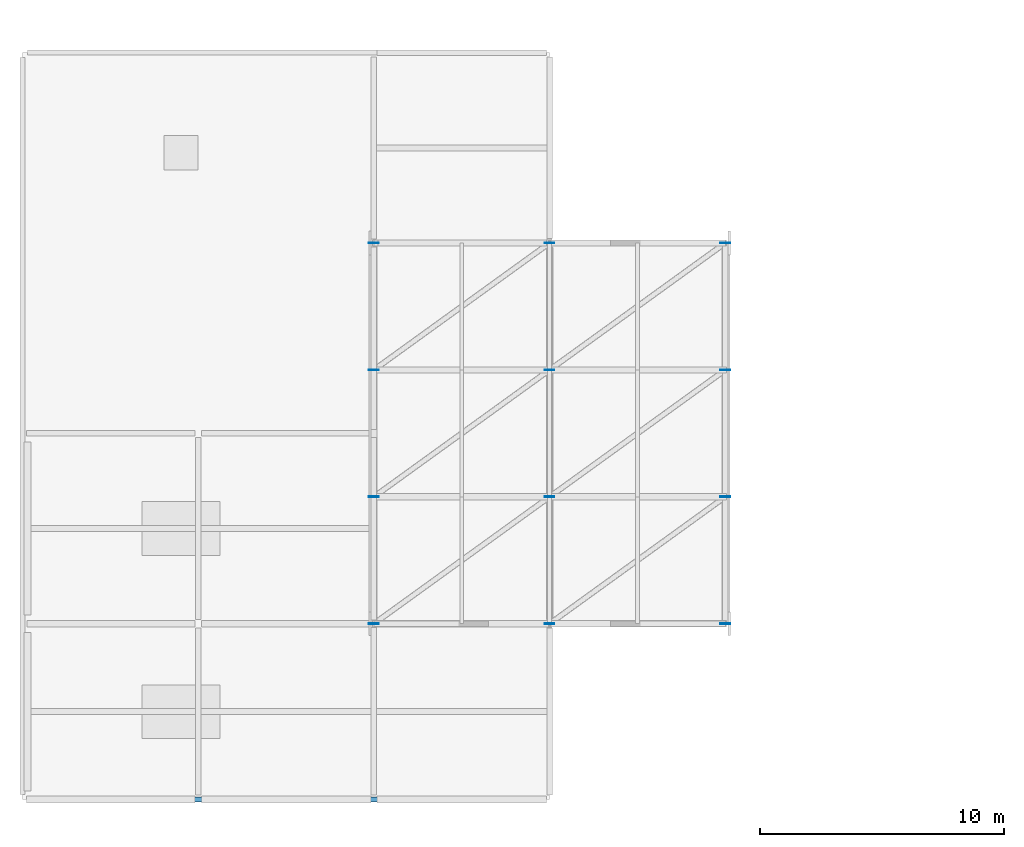
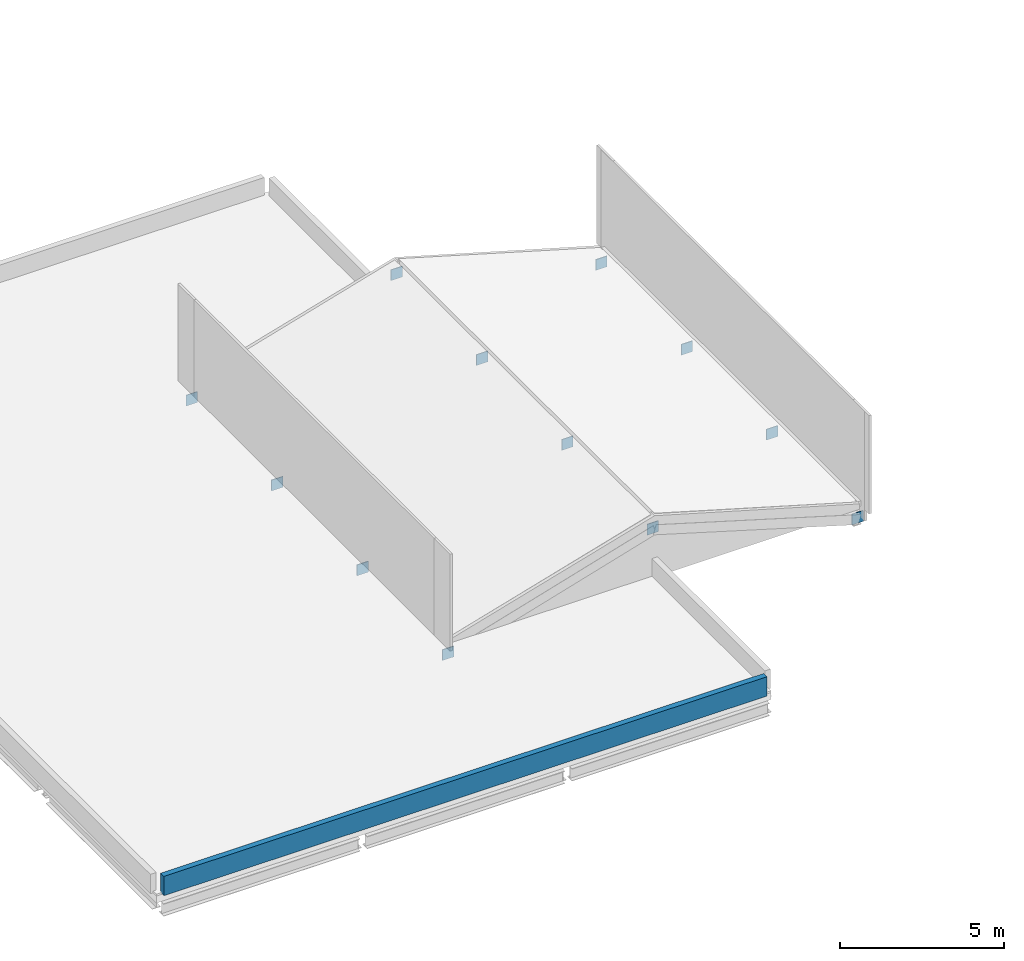
# One storey, part 6 of 12: 12 plates, 1 wall.
"""IFC4 building model written with IfcOpenShell, lengths in metres."""

import ifcopenshell
import ifcopenshell.guid

model = None  # the IFC model being written
_history = None  # IfcOwnerHistory: only IFC2X3 demands one
_inside = {}  # id of a spatial element -> (the spatial element, [elements in it])
_under = {}  # id of a project, library or spatial element -> (it, [spatial elements below it])
_declared = {}  # id of a project -> (the project, [libraries it declares])
_typed = {}  # id of a type object -> (the type object, [elements of that type])
_made_of = {}  # id of a material, layer set ... -> (it, [elements and type objects made of it])


def new_model(schema):
    """Start an empty IFC model of exactly this schema.

    Asked for "IFC4X3", IfcOpenShell would pick the latest addendum, in which some entities
    have other attributes; the version numbers below select the first issue.
    IFC2X3 requires an IfcOwnerHistory on every rooted entity: one is made here for all.
    """
    global model, _history
    if schema == "IFC4X3":
        model = ifcopenshell.file(schema_version=(4, 3, 0, 0))
    else:
        model = ifcopenshell.file(schema=schema)
    _inside.clear()
    _under.clear()
    _declared.clear()
    _typed.clear()
    _made_of.clear()
    _history = None
    if model.schema == "IFC2X3":
        org = make("IfcOrganization", Name="unknown")
        user = make(
            "IfcPersonAndOrganization",
            ThePerson=make("IfcPerson", FamilyName="unknown"),
            TheOrganization=org,
        )
        app = make(
            "IfcApplication",
            ApplicationDeveloper=org,
            Version="unknown",
            ApplicationFullName="unknown",
            ApplicationIdentifier="unknown",
        )
        _history = make(
            "IfcOwnerHistory",
            OwningUser=user,
            OwningApplication=app,
            ChangeAction="ADDED",
            CreationDate=0,
        )
    return model


def make(cls, **values):
    """One entity of the class cls with the attributes given. An attribute that is None is left unset."""
    return model.create_entity(
        cls, **{name: value for name, value in values.items() if value is not None}
    )


def rooted(cls, **values):
    """An entity with a GlobalId (a new one), such as an element, a storey or a relation."""
    return make(cls, GlobalId=ifcopenshell.guid.new(), OwnerHistory=_history, **values)


def si_unit(unit_type, name, prefix=None):
    """IfcSIUnit, for example si_unit("LENGTHUNIT", "METRE", prefix="MILLI")."""
    return make("IfcSIUnit", UnitType=unit_type, Prefix=prefix, Name=name)


def assignment(units):
    """IfcUnitAssignment: the units of a project."""
    return None if units is None else make("IfcUnitAssignment", Units=units)


def point(xyz):
    """IfcCartesianPoint."""
    return None if xyz is None else make("IfcCartesianPoint", Coordinates=xyz)


def direction(xyz):
    """IfcDirection."""
    return None if xyz is None else make("IfcDirection", DirectionRatios=xyz)


def frame(location, z_axis=None, x_axis=None):
    """IfcAxis2Placement3D, a coordinate frame: its origin and axes. An axis left out is left unset."""
    return make(
        "IfcAxis2Placement3D",
        Location=point(location),
        Axis=direction(z_axis),
        RefDirection=direction(x_axis),
    )


def frame_2d(location, x_axis=None):
    """IfcAxis2Placement2D, a coordinate frame in the plane: its origin and x axis."""
    return make(
        "IfcAxis2Placement2D", Location=point(location), RefDirection=direction(x_axis)
    )


def origin():
    """The frame at (0, 0, 0) with its axes left unset."""
    return frame((0.0, 0.0, 0.0))


def origin_2d():
    """The frame at (0, 0) in the plane with its x axis left unset."""
    return frame_2d((0.0, 0.0))


def place(relative_to, where):
    """IfcLocalPlacement: puts the frame where relative to a parent placement (None: the world)."""
    return make(
        "IfcLocalPlacement", PlacementRelTo=relative_to, RelativePlacement=where
    )


def context(
    kind, dimensions, precision=None, world=None, true_north=None, identifier=None
):
    """IfcGeometricRepresentationContext, for example the 3D "Model" context."""
    return make(
        "IfcGeometricRepresentationContext",
        ContextIdentifier=identifier,
        ContextType=kind,
        CoordinateSpaceDimension=dimensions,
        Precision=precision,
        WorldCoordinateSystem=world,
        TrueNorth=true_north,
    )


def subcontext(parent, identifier, kind, view, scale=None):
    """IfcGeometricRepresentationSubContext, for example "Body" below "Model"."""
    return make(
        "IfcGeometricRepresentationSubContext",
        ContextIdentifier=identifier,
        ContextType=kind,
        ParentContext=parent,
        TargetScale=scale,
        TargetView=view,
    )


def project(units=None, contexts=None):
    """IfcProject with its units and contexts."""
    return rooted(
        "IfcProject",
        Name="project",
        RepresentationContexts=contexts,
        UnitsInContext=assignment(units),
    )


def spatial(cls, under=None, at=None, **own):
    """A site, building, storey or space (cls), placed at a placement, below another one or the project."""
    s = rooted(cls, ObjectPlacement=at, **own)
    if under is not None:
        _under.setdefault(under.id(), (under, []))[1].append(s)
    return s


def profile(cls, at=None, kind="AREA", **sizes):
    """A parametric profile (cls). Its sizes go by their IFC names, for example OverallWidth=200.0."""
    return make(cls, ProfileType=kind, Position=at, **sizes)


def rectangle(**sizes):
    """IfcRectangleProfileDef."""
    return profile("IfcRectangleProfileDef", **sizes)


def extrude(swept, where, along, depth):
    """IfcExtrudedAreaSolid: the profile swept, set in the frame where, extruded along a direction by depth."""
    return make(
        "IfcExtrudedAreaSolid",
        SweptArea=swept,
        Position=where,
        ExtrudedDirection=direction(along),
        Depth=depth,
    )


def shape(context_of_items, identifier, shape_type, items):
    """IfcShapeRepresentation: the items that make up one representation, for example the "Body"."""
    return make(
        "IfcShapeRepresentation",
        ContextOfItems=context_of_items,
        RepresentationIdentifier=identifier,
        RepresentationType=shape_type,
        Items=items,
    )


def material(Name=None, Category=None):
    """IfcMaterial."""
    return make("IfcMaterial", Name=Name, Category=Category)


def layer(
    of_material, thickness, ventilated=None, Name=None, Category=None, Priority=None
):
    """IfcMaterialLayer: one layer of a wall or slab, of a material (None: an air gap)."""
    return make(
        "IfcMaterialLayer",
        Material=of_material,
        LayerThickness=thickness,
        IsVentilated=ventilated,
        Name=Name,
        Category=Category,
        Priority=Priority,
    )


def layer_set(layers, Name=None):
    """IfcMaterialLayerSet."""
    return make("IfcMaterialLayerSet", MaterialLayers=layers, LayerSetName=Name)


def made_of(thing, what):
    """Note that an element or type object is made of a material, layer set ...; save() writes the relation."""
    if what is not None:
        _made_of.setdefault(what.id(), (what, []))[1].append(thing)
    return thing


def type_object(cls, material=None, **own):
    """A type object (cls), such as IfcWallType, which elements share."""
    return made_of(rooted(cls, **own), material)


def element(
    cls,
    number,
    at=None,
    inside=None,
    cuts=None,
    type_object=None,
    material=None,
    context=None,
    identifier="Body",
    shape_type=None,
    held_by="IfcProductDefinitionShape",
    body=None,
    shapes=None,
    **own,
):
    """One element of the class cls, such as IfcWall. Its Tag is "e" and its number.

    at: its placement. inside: the storey or other place that contains it. cuts: it is an
    opening in that element (IfcRelVoidsElement). A single representation is given by context,
    identifier, shape_type and body (its items); several are given by shapes. held_by: the class
    of the entity that holds the representations. save() writes the other relations.
    """
    e = rooted(cls, Tag="e%d" % number, ObjectPlacement=at, **own)
    if body is not None:
        shapes = [shape(context, identifier, shape_type, body)]
    if shapes is not None:
        e.Representation = make(held_by, Representations=shapes)
    if inside is not None:
        _inside.setdefault(inside.id(), (inside, []))[1].append(e)
    if cuts is not None:
        rooted(
            "IfcRelVoidsElement", RelatingBuildingElement=cuts, RelatedOpeningElement=e
        )
    if type_object is not None:
        _typed.setdefault(type_object.id(), (type_object, []))[1].append(e)
    return made_of(e, material)


def aggregate(whole, parts):
    """IfcRelAggregates: a whole, such as a stair, and the parts it consists of."""
    return rooted("IfcRelAggregates", RelatingObject=whole, RelatedObjects=parts)


def save(model, path):
    """Write the relations noted so far, then the file.

    IfcRelAggregates (storeys below a building ...), IfcRelContainedInSpatialStructure (elements
    in a storey), IfcRelDefinesByType, IfcRelAssociatesMaterial and IfcRelDeclares: one each for
    every whole, place, type object, material and project.
    """
    for whole, parts in _under.values():
        aggregate(whole, parts)
    for where, things in _inside.values():
        rooted(
            "IfcRelContainedInSpatialStructure",
            RelatedElements=things,
            RelatingStructure=where,
        )
    for kind, things in _typed.values():
        rooted("IfcRelDefinesByType", RelatedObjects=things, RelatingType=kind)
    for what, things in _made_of.values():
        rooted("IfcRelAssociatesMaterial", RelatedObjects=things, RelatingMaterial=what)
    for by, libraries in _declared.values():
        rooted("IfcRelDeclares", RelatingContext=by, RelatedDefinitions=libraries)
    model.write(path)


model = new_model("IFC4")

# Units and contexts
model_context = context("Model", 3, precision=1e-05, world=origin(), true_north=direction((0.0, 1.0)))
body_context = subcontext(model_context, "Body", "Model", "MODEL_VIEW")
ifc_project = project(units=[si_unit("LENGTHUNIT", "METRE"), si_unit("AREAUNIT", "SQUARE_METRE"), si_unit("VOLUMEUNIT", "CUBIC_METRE"), si_unit("PLANEANGLEUNIT", "RADIAN"), si_unit("MASSUNIT", "GRAM", prefix="KILO")], contexts=[model_context])

# Site, building, storey
site_placement = place(None, origin())
site = spatial("IfcSite", under=ifc_project, at=site_placement, CompositionType="ELEMENT")
building_placement = place(site_placement, origin())
building = spatial("IfcBuilding", under=site, at=building_placement, Name="Vervanel Yard Central Library", CompositionType="ELEMENT")
storey_placement = place(building_placement, frame((0.0, 0.0, 20.260009765625)))
storey = spatial("IfcBuildingStorey", under=building, at=storey_placement, Name="L05", CompositionType="ELEMENT", Elevation=20.260009765625)

# Plates
ifc_material_1 = material(Name="Steel ASTM A572 Grade 50", Category="steel")
ifc_layer_1 = layer(ifc_material_1, 0.028076171875, Category="steel")
ifc_layer_set_1 = layer_set([ifc_layer_1], Name="Steel ASTM A572 Grade 50")
plate_type = type_object("IfcPlateType", Name="Brace End Cap Plate 28", PredefinedType="SHEET", material=ifc_layer_set_1)
for number, where, z_axis, x_axis, name in (
    (1, (14.39990234375, 43.199951171875, -0.580078125), (0.0, 0.0, 1.0), (1.0, 0.0, 0.0), "Monitor Rafter End Plate W-432-1"),
    (2, (21.60009765625, 43.199951171875, 1.56005859375), (0.0, 0.0, 1.0), (1.0, 0.0, 0.0), "Monitor Rafter End Plate W-432-2"),
    (3, (28.800048828125, 43.199951171875, -0.580078125), (0.0, 0.0, 1.0), (1.0, 0.0, 0.0), "Monitor Rafter End Plate E-432-2"),
    (4, (14.39990234375, 48.39990234375, -0.580078125), (0.0, 0.0, 1.0), (1.0, 0.0, 0.0), "Monitor Rafter End Plate W-484-1"),
    (5, (21.60009765625, 48.39990234375, 1.56005859375), (0.0, 0.0, 1.0), (1.0, 0.0, 0.0), "Monitor Rafter End Plate W-484-2"),
    (6, (28.800048828125, 48.39990234375, -0.580078125), (0.0, 0.0, 1.0), (1.0, 0.0, 0.0), "Monitor Rafter End Plate E-484-2"),
    (7, (14.39990234375, 53.60009765625, -0.580078125), (0.0, 0.0, 1.0), (1.0, 0.0, 0.0), "Monitor Rafter End Plate W-536-1"),
    (8, (21.60009765625, 53.60009765625, 1.56005859375), (0.0, 0.0, 1.0), (1.0, 0.0, 0.0), "Monitor Rafter End Plate W-536-2"),
    (9, (28.800048828125, 53.60009765625, -0.580078125), (0.0, 0.0, 1.0), (1.0, 0.0, 0.0), "Monitor Rafter End Plate E-536-2"),
    (10, (14.39990234375, 58.800048828125, -0.580078125), (0.0, 0.0, 1.0), (1.0, 0.0, 0.0), "Monitor Rafter End Plate W-588-1"),
    (11, (21.60009765625, 58.800048828125, 1.56005859375), (0.0, 0.0, 1.0), (1.0, 0.0, 0.0), "Monitor Rafter End Plate W-588-2"),
    (12, (28.800048828125, 58.800048828125, -0.580078125), (0.0, 0.0, 1.0), (1.0, 0.0, 0.0), "Monitor Rafter End Plate E-588-2"),
):
    element("IfcPlate", number, at=place(storey_placement, frame(where, z_axis=z_axis, x_axis=x_axis)), inside=storey, type_object=plate_type, Name=name, PredefinedType="SHEET", context=body_context, shape_type="SweptSolid", body=[
        extrude(rectangle(XDim=0.39990234375, YDim=0.028076171875, at=origin_2d()), origin(), (0.0, 0.0, 1.0), 0.39990234375),
    ])

# Wall
ifc_material_2 = material(Name="Concrete C40/50", Category="concrete")
ifc_layer_2 = layer(ifc_material_2, 0.199951171875, Category="concrete")
ifc_layer_set_2 = layer_set([ifc_layer_2], Name="Concrete C40/50")
wall_type = type_object("IfcWallType", Name="Setback Roof Concrete Parapet 200", PredefinedType="PARAPET", material=ifc_layer_set_2)
wall_placement = place(storey_placement, frame((0.199951171875, 36.0, 0.0), z_axis=(0.0, 0.0, 1.0), x_axis=(1.0, 0.0, 0.0)))
element("IfcWall", 13, at=wall_placement, inside=storey, type_object=wall_type, Name="L05 Roof Parapet 38", PredefinedType="PARAPET", context=body_context, shape_type="SweptSolid", body=[
    extrude(rectangle(XDim=21.199951171875, YDim=0.199951171875, at=frame_2d((10.60009765625, 0.0))), origin(), (0.0, 0.0, 1.0), 0.719970703125),
])

save(model, "model.ifc")
